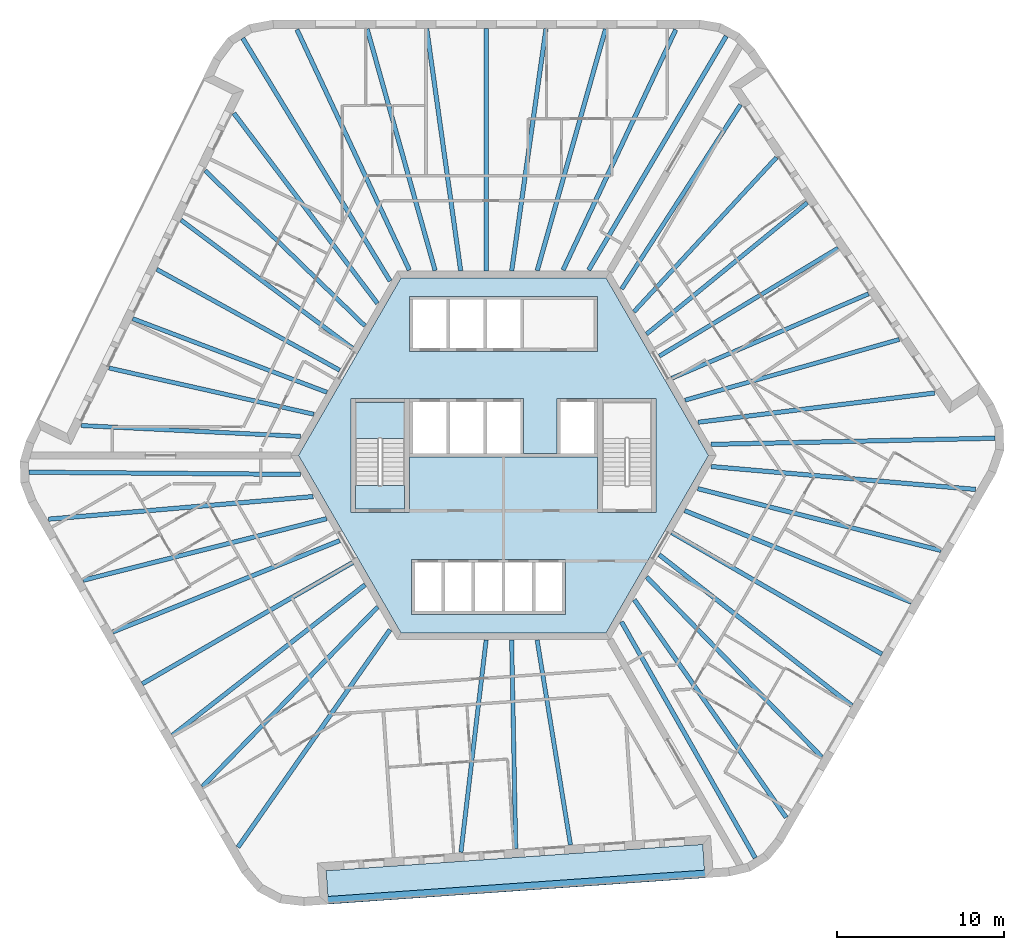
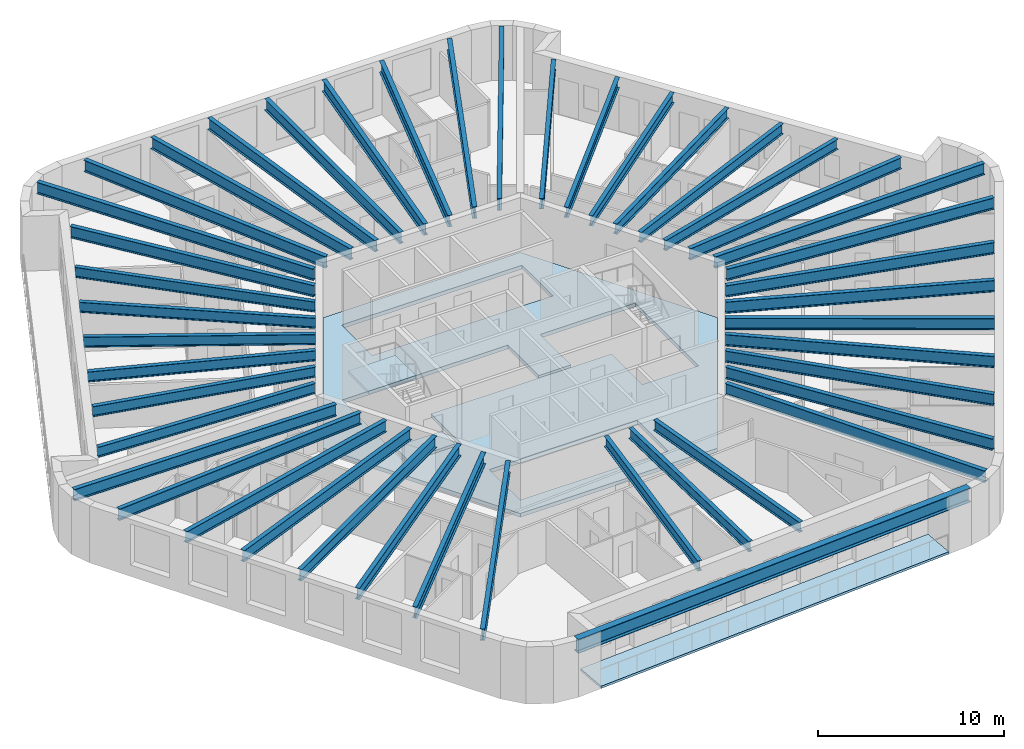
# One storey, part 1 of 12: 44 beams, 4 slabs, 1 element without a shape of its own.
"""IFC4 building model written with IfcOpenShell, lengths in metres."""

import ifcopenshell
import ifcopenshell.guid

model = None  # the IFC model being written
_history = None  # IfcOwnerHistory: only IFC2X3 demands one
_inside = {}  # id of a spatial element -> (the spatial element, [elements in it])
_under = {}  # id of a project, library or spatial element -> (it, [spatial elements below it])
_declared = {}  # id of a project -> (the project, [libraries it declares])
_typed = {}  # id of a type object -> (the type object, [elements of that type])
_made_of = {}  # id of a material, layer set ... -> (it, [elements and type objects made of it])


def new_model(schema):
    """Start an empty IFC model of exactly this schema.

    Asked for "IFC4X3", IfcOpenShell would pick the latest addendum, in which some entities
    have other attributes; the version numbers below select the first issue.
    IFC2X3 requires an IfcOwnerHistory on every rooted entity: one is made here for all.
    """
    global model, _history
    if schema == "IFC4X3":
        model = ifcopenshell.file(schema_version=(4, 3, 0, 0))
    else:
        model = ifcopenshell.file(schema=schema)
    _inside.clear()
    _under.clear()
    _declared.clear()
    _typed.clear()
    _made_of.clear()
    _history = None
    if model.schema == "IFC2X3":
        org = make("IfcOrganization", Name="unknown")
        user = make(
            "IfcPersonAndOrganization",
            ThePerson=make("IfcPerson", FamilyName="unknown"),
            TheOrganization=org,
        )
        app = make(
            "IfcApplication",
            ApplicationDeveloper=org,
            Version="unknown",
            ApplicationFullName="unknown",
            ApplicationIdentifier="unknown",
        )
        _history = make(
            "IfcOwnerHistory",
            OwningUser=user,
            OwningApplication=app,
            ChangeAction="ADDED",
            CreationDate=0,
        )
    return model


def make(cls, **values):
    """One entity of the class cls with the attributes given. An attribute that is None is left unset."""
    return model.create_entity(
        cls, **{name: value for name, value in values.items() if value is not None}
    )


def rooted(cls, **values):
    """An entity with a GlobalId (a new one), such as an element, a storey or a relation."""
    return make(cls, GlobalId=ifcopenshell.guid.new(), OwnerHistory=_history, **values)


def si_unit(unit_type, name, prefix=None):
    """IfcSIUnit, for example si_unit("LENGTHUNIT", "METRE", prefix="MILLI")."""
    return make("IfcSIUnit", UnitType=unit_type, Prefix=prefix, Name=name)


def assignment(units):
    """IfcUnitAssignment: the units of a project."""
    return None if units is None else make("IfcUnitAssignment", Units=units)


def point(xyz):
    """IfcCartesianPoint."""
    return None if xyz is None else make("IfcCartesianPoint", Coordinates=xyz)


def direction(xyz):
    """IfcDirection."""
    return None if xyz is None else make("IfcDirection", DirectionRatios=xyz)


def frame(location, z_axis=None, x_axis=None):
    """IfcAxis2Placement3D, a coordinate frame: its origin and axes. An axis left out is left unset."""
    return make(
        "IfcAxis2Placement3D",
        Location=point(location),
        Axis=direction(z_axis),
        RefDirection=direction(x_axis),
    )


def frame_2d(location, x_axis=None):
    """IfcAxis2Placement2D, a coordinate frame in the plane: its origin and x axis."""
    return make(
        "IfcAxis2Placement2D", Location=point(location), RefDirection=direction(x_axis)
    )


def origin():
    """The frame at (0, 0, 0) with its axes left unset."""
    return frame((0.0, 0.0, 0.0))


def origin_2d():
    """The frame at (0, 0) in the plane with its x axis left unset."""
    return frame_2d((0.0, 0.0))


def place(relative_to, where):
    """IfcLocalPlacement: puts the frame where relative to a parent placement (None: the world)."""
    return make(
        "IfcLocalPlacement", PlacementRelTo=relative_to, RelativePlacement=where
    )


def context(
    kind, dimensions, precision=None, world=None, true_north=None, identifier=None
):
    """IfcGeometricRepresentationContext, for example the 3D "Model" context."""
    return make(
        "IfcGeometricRepresentationContext",
        ContextIdentifier=identifier,
        ContextType=kind,
        CoordinateSpaceDimension=dimensions,
        Precision=precision,
        WorldCoordinateSystem=world,
        TrueNorth=true_north,
    )


def subcontext(parent, identifier, kind, view, scale=None):
    """IfcGeometricRepresentationSubContext, for example "Body" below "Model"."""
    return make(
        "IfcGeometricRepresentationSubContext",
        ContextIdentifier=identifier,
        ContextType=kind,
        ParentContext=parent,
        TargetScale=scale,
        TargetView=view,
    )


def project(units=None, contexts=None):
    """IfcProject with its units and contexts."""
    return rooted(
        "IfcProject",
        Name="project",
        RepresentationContexts=contexts,
        UnitsInContext=assignment(units),
    )


def spatial(cls, under=None, at=None, **own):
    """A site, building, storey or space (cls), placed at a placement, below another one or the project."""
    s = rooted(cls, ObjectPlacement=at, **own)
    if under is not None:
        _under.setdefault(under.id(), (under, []))[1].append(s)
    return s


def polyline(points):
    """IfcPolyline through the points."""
    return make("IfcPolyline", Points=[point(p) for p in points])


def profile(cls, at=None, kind="AREA", **sizes):
    """A parametric profile (cls). Its sizes go by their IFC names, for example OverallWidth=200.0."""
    return make(cls, ProfileType=kind, Position=at, **sizes)


def i_section(**sizes):
    """IfcIShapeProfileDef."""
    return profile("IfcIShapeProfileDef", **sizes)


def outline(outer, holes=None, kind="AREA"):
    """IfcArbitraryClosedProfileDef: a profile drawn as a closed curve; with holes, ...WithVoids."""
    if holes is None:
        return make("IfcArbitraryClosedProfileDef", ProfileType=kind, OuterCurve=outer)
    return make(
        "IfcArbitraryProfileDefWithVoids",
        ProfileType=kind,
        OuterCurve=outer,
        InnerCurves=holes,
    )


def extrude(swept, where, along, depth):
    """IfcExtrudedAreaSolid: the profile swept, set in the frame where, extruded along a direction by depth."""
    return make(
        "IfcExtrudedAreaSolid",
        SweptArea=swept,
        Position=where,
        ExtrudedDirection=direction(along),
        Depth=depth,
    )


def shape(context_of_items, identifier, shape_type, items):
    """IfcShapeRepresentation: the items that make up one representation, for example the "Body"."""
    return make(
        "IfcShapeRepresentation",
        ContextOfItems=context_of_items,
        RepresentationIdentifier=identifier,
        RepresentationType=shape_type,
        Items=items,
    )


def material(Name=None, Category=None):
    """IfcMaterial."""
    return make("IfcMaterial", Name=Name, Category=Category)


def layer(
    of_material, thickness, ventilated=None, Name=None, Category=None, Priority=None
):
    """IfcMaterialLayer: one layer of a wall or slab, of a material (None: an air gap)."""
    return make(
        "IfcMaterialLayer",
        Material=of_material,
        LayerThickness=thickness,
        IsVentilated=ventilated,
        Name=Name,
        Category=Category,
        Priority=Priority,
    )


def layer_set(layers, Name=None):
    """IfcMaterialLayerSet."""
    return make("IfcMaterialLayerSet", MaterialLayers=layers, LayerSetName=Name)


def material_profile(
    of_material, cross_section, Name=None, Category=None, Priority=None
):
    """IfcMaterialProfile: a cross section and its material."""
    return make(
        "IfcMaterialProfile",
        Name=Name,
        Material=of_material,
        Profile=cross_section,
        Priority=Priority,
        Category=Category,
    )


def profile_set(profiles, Name=None, composite=None):
    """IfcMaterialProfileSet."""
    return make(
        "IfcMaterialProfileSet",
        Name=Name,
        MaterialProfiles=profiles,
        CompositeProfile=composite,
    )


def made_of(thing, what):
    """Note that an element or type object is made of a material, layer set ...; save() writes the relation."""
    if what is not None:
        _made_of.setdefault(what.id(), (what, []))[1].append(thing)
    return thing


def type_object(cls, material=None, **own):
    """A type object (cls), such as IfcWallType, which elements share."""
    return made_of(rooted(cls, **own), material)


def element(
    cls,
    number,
    at=None,
    inside=None,
    cuts=None,
    type_object=None,
    material=None,
    context=None,
    identifier="Body",
    shape_type=None,
    held_by="IfcProductDefinitionShape",
    body=None,
    shapes=None,
    **own,
):
    """One element of the class cls, such as IfcWall. Its Tag is "e" and its number.

    at: its placement. inside: the storey or other place that contains it. cuts: it is an
    opening in that element (IfcRelVoidsElement). A single representation is given by context,
    identifier, shape_type and body (its items); several are given by shapes. held_by: the class
    of the entity that holds the representations. save() writes the other relations.
    """
    e = rooted(cls, Tag="e%d" % number, ObjectPlacement=at, **own)
    if body is not None:
        shapes = [shape(context, identifier, shape_type, body)]
    if shapes is not None:
        e.Representation = make(held_by, Representations=shapes)
    if inside is not None:
        _inside.setdefault(inside.id(), (inside, []))[1].append(e)
    if cuts is not None:
        rooted(
            "IfcRelVoidsElement", RelatingBuildingElement=cuts, RelatedOpeningElement=e
        )
    if type_object is not None:
        _typed.setdefault(type_object.id(), (type_object, []))[1].append(e)
    return made_of(e, material)


def aggregate(whole, parts):
    """IfcRelAggregates: a whole, such as a stair, and the parts it consists of."""
    return rooted("IfcRelAggregates", RelatingObject=whole, RelatedObjects=parts)


def save(model, path):
    """Write the relations noted so far, then the file.

    IfcRelAggregates (storeys below a building ...), IfcRelContainedInSpatialStructure (elements
    in a storey), IfcRelDefinesByType, IfcRelAssociatesMaterial and IfcRelDeclares: one each for
    every whole, place, type object, material and project.
    """
    for whole, parts in _under.values():
        aggregate(whole, parts)
    for where, things in _inside.values():
        rooted(
            "IfcRelContainedInSpatialStructure",
            RelatedElements=things,
            RelatingStructure=where,
        )
    for kind, things in _typed.values():
        rooted("IfcRelDefinesByType", RelatedObjects=things, RelatingType=kind)
    for what, things in _made_of.values():
        rooted("IfcRelAssociatesMaterial", RelatedObjects=things, RelatingMaterial=what)
    for by, libraries in _declared.values():
        rooted("IfcRelDeclares", RelatingContext=by, RelatedDefinitions=libraries)
    model.write(path)


model = new_model("IFC4")

# Units and contexts
model_context = context("Model", 3, precision=1e-05, world=origin(), true_north=direction((0.0, 1.0)))
body_context = subcontext(model_context, "Body", "Model", "MODEL_VIEW")
ifc_project = project(units=[si_unit("LENGTHUNIT", "METRE"), si_unit("AREAUNIT", "SQUARE_METRE"), si_unit("VOLUMEUNIT", "CUBIC_METRE"), si_unit("PLANEANGLEUNIT", "RADIAN"), si_unit("MASSUNIT", "GRAM", prefix="KILO")], contexts=[model_context])

# Site, building, storey
site_placement = place(None, origin())
site = spatial("IfcSite", under=ifc_project, at=site_placement, CompositionType="ELEMENT")
building_placement = place(site_placement, origin())
building = spatial("IfcBuilding", under=site, at=building_placement, Name="Tarnside Tower", CompositionType="ELEMENT")
storey_placement = place(building_placement, frame((0.0, 0.0, 334.199951171875)))
storey = spatial("IfcBuildingStorey", under=building, at=storey_placement, Name="L81", CompositionType="ELEMENT", Elevation=334.199951171875)

# Beams
ifc_material_1 = material(Name="Steel S355", Category="steel")
ifc_material_profile_1 = material_profile(ifc_material_1, i_section(OverallWidth=0.2529296875, OverallDepth=0.677978515625, WebThickness=0.01171875, FlangeThickness=0.01611328125, FilletRadius=0.01513671875, at=origin_2d()), Name="UB 686x254x125")
ifc_profile_set_1 = profile_set([ifc_material_profile_1], Name="Steel S355")
beam_type_1 = type_object("IfcBeamType", Name="Floor beam UB 686x254x125", PredefinedType="BEAM", material=ifc_profile_set_1)
beam_1_placement = place(storey_placement, frame((-17.811279296875, 17.002197265625, 3.260986328125), z_axis=(0.717190986424, -0.696876666988, 0.0), x_axis=(0.696876666988, 0.717190986424, 0.0)))
element("IfcBeam", 1, at=beam_1_placement, inside=storey, type_object=beam_type_1, Name="Floor beam F2.02", PredefinedType="BEAM", context=body_context, shape_type="SweptSolid", body=[
    extrude(i_section(OverallWidth=0.2529296875, OverallDepth=0.677978515625, WebThickness=0.01171875, FlangeThickness=0.01611328125, FilletRadius=0.01513671875, at=origin_2d()), origin(), (0.0, 0.0, 1.0), 13.2919921875),
])
beam_2_placement = place(storey_placement, frame((-19.25, 14.0498046875, 3.260986328125), z_axis=(0.801006417676, -0.598655759883, 0.0), x_axis=(0.598655759883, 0.801006417676, 0.0)))
element("IfcBeam", 2, at=beam_2_placement, inside=storey, type_object=beam_type_1, Name="Floor beam F2.03", PredefinedType="BEAM", context=body_context, shape_type="SweptSolid", body=[
    extrude(i_section(OverallWidth=0.2529296875, OverallDepth=0.677978515625, WebThickness=0.01171875, FlangeThickness=0.01611328125, FilletRadius=0.01513671875, at=origin_2d()), origin(), (0.0, 0.0, 1.0), 12.764892578125),
])
beam_3_placement = place(storey_placement, frame((-20.70458984375, 11.111572265625, 3.260986328125), z_axis=(0.875666768762, -0.482915841619, 0.0), x_axis=(0.482915841619, 0.875666768762, 0.0)))
element("IfcBeam", 3, at=beam_3_placement, inside=storey, type_object=beam_type_1, Name="Floor beam F2.04", PredefinedType="BEAM", context=body_context, shape_type="SweptSolid", body=[
    extrude(i_section(OverallWidth=0.2529296875, OverallDepth=0.677978515625, WebThickness=0.01171875, FlangeThickness=0.01611328125, FilletRadius=0.01513671875, at=origin_2d()), origin(), (0.0, 0.0, 1.0), 12.468994140625),
])
beam_4_placement = place(storey_placement, frame((-22.141357421875, 8.165771484375, 3.260986328125), z_axis=(0.935116350489, -0.354340811998, 0.0), x_axis=(0.354340811998, 0.935116350489, 0.0)))
element("IfcBeam", 4, at=beam_4_placement, inside=storey, type_object=beam_type_1, Name="Floor beam F2.05", PredefinedType="BEAM", context=body_context, shape_type="SweptSolid", body=[
    extrude(i_section(OverallWidth=0.2529296875, OverallDepth=0.677978515625, WebThickness=0.01171875, FlangeThickness=0.01611328125, FilletRadius=0.01513671875, at=origin_2d()), origin(), (0.0, 0.0, 1.0), 12.399169921875),
])
beam_5_placement = place(storey_placement, frame((-23.556884765625, 5.2197265625, 3.260986328125), z_axis=(0.975445185376, -0.220242344534, 0.0), x_axis=(0.220242344534, 0.975445185376, 0.0)))
element("IfcBeam", 5, at=beam_5_placement, inside=storey, type_object=beam_type_1, Name="Floor beam F2.06", PredefinedType="BEAM", context=body_context, shape_type="SweptSolid", body=[
    extrude(i_section(OverallWidth=0.2529296875, OverallDepth=0.677978515625, WebThickness=0.01171875, FlangeThickness=0.01611328125, FilletRadius=0.01513671875, at=origin_2d()), origin(), (0.0, 0.0, 1.0), 12.538330078125),
])
beam_6_placement = place(storey_placement, frame((-25.214599609375, 1.7841796875, 3.260986328125), z_axis=(0.998783137237, -0.049317793651, 0.0), x_axis=(0.049317793651, 0.998783137237, 0.0)))
element("IfcBeam", 6, at=beam_6_placement, inside=storey, type_object=beam_type_1, Name="Floor beam F2.07", PredefinedType="BEAM", context=body_context, shape_type="SweptSolid", body=[
    extrude(i_section(OverallWidth=0.2529296875, OverallDepth=0.677978515625, WebThickness=0.01171875, FlangeThickness=0.01611328125, FilletRadius=0.01513671875, at=origin_2d()), origin(), (0.0, 0.0, 1.0), 13.103515625),
])
beam_7_placement = place(storey_placement, frame((-2.54248046875, -23.69580078125, 3.260986328125), z_axis=(0.117949762105, 0.993019563563, 0.0), x_axis=(-0.993019563563, 0.117949762105, 0.0)))
element("IfcBeam", 7, at=beam_7_placement, inside=storey, type_object=beam_type_1, Name="Floor beam F4.03", PredefinedType="BEAM", context=body_context, shape_type="SweptSolid", body=[
    extrude(i_section(OverallWidth=0.2529296875, OverallDepth=0.677978515625, WebThickness=0.01171875, FlangeThickness=0.01611328125, FilletRadius=0.01513671875, at=origin_2d()), origin(), (0.0, 0.0, 1.0), 12.764892578125),
])
beam_8_placement = place(storey_placement, frame((0.7294921875, -23.486328125, 3.260986328125), z_axis=(-0.019619426101, 0.999807520536, 0.0), x_axis=(-0.999807520536, -0.019619426101, 0.0)))
element("IfcBeam", 8, at=beam_8_placement, inside=storey, type_object=beam_type_1, Name="Floor beam F4.04", PredefinedType="BEAM", context=body_context, shape_type="SweptSolid", body=[
    extrude(i_section(OverallWidth=0.2529296875, OverallDepth=0.677978515625, WebThickness=0.01171875, FlangeThickness=0.01611328125, FilletRadius=0.01513671875, at=origin_2d()), origin(), (0.0, 0.0, 1.0), 12.46875),
])
beam_9_placement = place(storey_placement, frame((3.9990234375, -23.2578125, 3.260986328125), z_axis=(-0.160690769029, 0.987004800773, 0.0), x_axis=(-0.987004800773, -0.160690769029, 0.0)))
element("IfcBeam", 9, at=beam_9_placement, inside=storey, type_object=beam_type_1, Name="Floor beam F4.05", PredefinedType="BEAM", context=body_context, shape_type="SweptSolid", body=[
    extrude(i_section(OverallWidth=0.2529296875, OverallDepth=0.677978515625, WebThickness=0.01171875, FlangeThickness=0.01611328125, FilletRadius=0.01513671875, at=origin_2d()), origin(), (0.0, 0.0, 1.0), 12.399169921875),
])
beam_10_placement = place(storey_placement, frame((23.6298828125, 6.924072265625, 3.260986328125), z_axis=(-0.962104001021, -0.272682766636, 0.0), x_axis=(0.272682766636, -0.962104001021, 0.0)))
element("IfcBeam", 10, at=beam_10_placement, inside=storey, type_object=beam_type_1, Name="Floor beam F6.02", PredefinedType="BEAM", context=body_context, shape_type="SweptSolid", body=[
    extrude(i_section(OverallWidth=0.2529296875, OverallDepth=0.677978515625, WebThickness=0.01171875, FlangeThickness=0.01611328125, FilletRadius=0.01513671875, at=origin_2d()), origin(), (0.0, 0.0, 1.0), 13.2919921875),
])
beam_11_placement = place(storey_placement, frame((21.792236328125, 9.64599609375, 3.260986328125), z_axis=(-0.918954980534, -0.394362452258, 0.0), x_axis=(0.394362452258, -0.918954980534, 0.0)))
element("IfcBeam", 11, at=beam_11_placement, inside=storey, type_object=beam_type_1, Name="Floor beam F6.03", PredefinedType="BEAM", context=body_context, shape_type="SweptSolid", body=[
    extrude(i_section(OverallWidth=0.2529296875, OverallDepth=0.677978515625, WebThickness=0.01171875, FlangeThickness=0.01611328125, FilletRadius=0.01513671875, at=origin_2d()), origin(), (0.0, 0.0, 1.0), 12.7646484375),
])
beam_12_placement = place(storey_placement, frame((19.97509765625, 12.375, 3.260986328125), z_axis=(-0.856046953876, -0.516898068055, 0.0), x_axis=(0.516898068055, -0.856046953876, 0.0)))
element("IfcBeam", 12, at=beam_12_placement, inside=storey, type_object=beam_type_1, Name="Floor beam F6.04", PredefinedType="BEAM", context=body_context, shape_type="SweptSolid", body=[
    extrude(i_section(OverallWidth=0.2529296875, OverallDepth=0.677978515625, WebThickness=0.01171875, FlangeThickness=0.01611328125, FilletRadius=0.01513671875, at=origin_2d()), origin(), (0.0, 0.0, 1.0), 12.46875),
])
beam_13_placement = place(storey_placement, frame((18.142333984375, 15.092041015625, 3.260986328125), z_axis=(-0.774438707576, -0.632648945473, 0.0), x_axis=(0.632648945473, -0.774438707576, 0.0)))
element("IfcBeam", 13, at=beam_13_placement, inside=storey, type_object=beam_type_1, Name="Floor beam F6.05", PredefinedType="BEAM", context=body_context, shape_type="SweptSolid", body=[
    extrude(i_section(OverallWidth=0.2529296875, OverallDepth=0.677978515625, WebThickness=0.01171875, FlangeThickness=0.01611328125, FilletRadius=0.01513671875, at=origin_2d()), origin(), (0.0, 0.0, 1.0), 12.39892578125),
])
beam_14_placement = place(storey_placement, frame((16.299072265625, 17.791015625, 3.260986328125), z_axis=(-0.67846123451, -0.734636204708, 0.0), x_axis=(0.734636204708, -0.67846123451, 0.0)))
element("IfcBeam", 14, at=beam_14_placement, inside=storey, type_object=beam_type_1, Name="Floor beam F6.06", PredefinedType="BEAM", context=body_context, shape_type="SweptSolid", body=[
    extrude(i_section(OverallWidth=0.2529296875, OverallDepth=0.677978515625, WebThickness=0.01171875, FlangeThickness=0.01611328125, FilletRadius=0.01513671875, at=origin_2d()), origin(), (0.0, 0.0, 1.0), 12.538330078125),
])
beam_15_placement = place(storey_placement, frame((14.152587890625, 20.9443359375, 3.260986328125), z_axis=(-0.54209970956, -0.840314170352, 0.0), x_axis=(0.840314170352, -0.54209970956, 0.0)))
element("IfcBeam", 15, at=beam_15_placement, inside=storey, type_object=beam_type_1, Name="Floor beam F6.07", PredefinedType="BEAM", context=body_context, shape_type="SweptSolid", body=[
    extrude(i_section(OverallWidth=0.2529296875, OverallDepth=0.677978515625, WebThickness=0.01171875, FlangeThickness=0.01611328125, FilletRadius=0.01513671875, at=origin_2d()), origin(), (0.0, 0.0, 1.0), 13.103759765625),
])
ifc_material_profile_2 = material_profile(ifc_material_1, i_section(OverallWidth=0.26513671875, OverallDepth=0.75390625, WebThickness=0.0126953125, FlangeThickness=0.017578125, FilletRadius=0.0166015625, at=origin_2d()), Name="UB 762x267x147")
ifc_profile_set_2 = profile_set([ifc_material_profile_2], Name="Steel S355")
beam_type_2 = type_object("IfcBeamType", Name="Floor beam UB 762x267x147", PredefinedType="BEAM", material=ifc_profile_set_2)
beam_16_placement = place(storey_placement, frame((6.093505859375, 25.46142578125, 3.22314453125), z_axis=(-0.272147186115, -0.962255636039, 0.0), x_axis=(0.962255636039, -0.272147186115, 0.0)))
element("IfcBeam", 16, at=beam_16_placement, inside=storey, type_object=beam_type_2, Name="Floor beam F1.02", PredefinedType="BEAM", context=body_context, shape_type="SweptSolid", body=[
    extrude(i_section(OverallWidth=0.26513671875, OverallDepth=0.75390625, WebThickness=0.0126953125, FlangeThickness=0.017578125, FilletRadius=0.0166015625, at=origin_2d()), origin(), (0.0, 0.0, 1.0), 14.988525390625),
])
beam_17_placement = place(storey_placement, frame((2.537109375, 25.480224609375, 3.22314453125), z_axis=(-0.140349428967, -0.990102034029, 0.0), x_axis=(0.990102034029, -0.140349428967, 0.0)))
element("IfcBeam", 17, at=beam_17_placement, inside=storey, type_object=beam_type_2, Name="Floor beam F1.03", PredefinedType="BEAM", context=body_context, shape_type="SweptSolid", body=[
    extrude(i_section(OverallWidth=0.26513671875, OverallDepth=0.75390625, WebThickness=0.0126953125, FlangeThickness=0.017578125, FilletRadius=0.0166015625, at=origin_2d()), origin(), (0.0, 0.0, 1.0), 14.60498046875),
])
beam_18_placement = place(storey_placement, frame((-1.02490234375, 25.5, 3.22314453125), z_axis=(-0.000656653953, -0.999999784403, 0.0), x_axis=(0.999999784403, -0.000656653953, 0.0)))
element("IfcBeam", 18, at=beam_18_placement, inside=storey, type_object=beam_type_2, Name="Floor beam F1.04", PredefinedType="BEAM", context=body_context, shape_type="SweptSolid", body=[
    extrude(i_section(OverallWidth=0.26513671875, OverallDepth=0.75390625, WebThickness=0.0126953125, FlangeThickness=0.017578125, FilletRadius=0.0166015625, at=origin_2d()), origin(), (0.0, 0.0, 1.0), 14.5),
])
beam_19_placement = place(storey_placement, frame((-4.5869140625, 25.480224609375, 3.22314453125), z_axis=(0.139070897001, -0.990282427193, 0.0), x_axis=(0.990282427193, 0.139070897001, 0.0)))
element("IfcBeam", 19, at=beam_19_placement, inside=storey, type_object=beam_type_2, Name="Floor beam F1.05", PredefinedType="BEAM", context=body_context, shape_type="SweptSolid", body=[
    extrude(i_section(OverallWidth=0.26513671875, OverallDepth=0.75390625, WebThickness=0.0126953125, FlangeThickness=0.017578125, FilletRadius=0.0166015625, at=origin_2d()), origin(), (0.0, 0.0, 1.0), 14.602294921875),
])
beam_20_placement = place(storey_placement, frame((-8.1435546875, 25.46142578125, 3.22314453125), z_axis=(0.270985274434, -0.962583493023, 0.0), x_axis=(0.962583493023, 0.270985274434, 0.0)))
element("IfcBeam", 20, at=beam_20_placement, inside=storey, type_object=beam_type_2, Name="Floor beam F1.06", PredefinedType="BEAM", context=body_context, shape_type="SweptSolid", body=[
    extrude(i_section(OverallWidth=0.26513671875, OverallDepth=0.75390625, WebThickness=0.0126953125, FlangeThickness=0.017578125, FilletRadius=0.0166015625, at=origin_2d()), origin(), (0.0, 0.0, 1.0), 14.9833984375),
])
beam_21_placement = place(storey_placement, frame((-16.101318359375, 20.43212890625, 3.22314453125), z_axis=(0.602566097863, -0.798068980543, 0.0), x_axis=(0.798068980543, 0.602566097863, 0.0)))
element("IfcBeam", 21, at=beam_21_placement, inside=storey, type_object=beam_type_2, Name="Floor beam F2.01", PredefinedType="BEAM", context=body_context, shape_type="SweptSolid", body=[
    extrude(i_section(OverallWidth=0.26513671875, OverallDepth=0.75390625, WebThickness=0.0126953125, FlangeThickness=0.017578125, FilletRadius=0.0166015625, at=origin_2d()), origin(), (0.0, 0.0, 1.0), 14.231201171875),
])
beam_22_placement = place(storey_placement, frame((-25.09716796875, -7.45361328125, 3.22314453125), z_axis=(0.969413823687, 0.245431942592, 0.0), x_axis=(-0.245431942592, 0.969413823687, 0.0)))
element("IfcBeam", 22, at=beam_22_placement, inside=storey, type_object=beam_type_2, Name="Floor beam F3.02", PredefinedType="BEAM", context=body_context, shape_type="SweptSolid", body=[
    extrude(i_section(OverallWidth=0.26513671875, OverallDepth=0.75390625, WebThickness=0.0126953125, FlangeThickness=0.017578125, FilletRadius=0.0166015625, at=origin_2d()), origin(), (0.0, 0.0, 1.0), 14.98876953125),
])
beam_23_placement = place(storey_placement, frame((-23.3349609375, -10.54296875, 3.22314453125), z_axis=(0.927625766949, 0.373510958998, 0.0), x_axis=(-0.373510958998, 0.927625766949, 0.0)))
element("IfcBeam", 23, at=beam_23_placement, inside=storey, type_object=beam_type_2, Name="Floor beam F3.03", PredefinedType="BEAM", context=body_context, shape_type="SweptSolid", body=[
    extrude(i_section(OverallWidth=0.26513671875, OverallDepth=0.75390625, WebThickness=0.0126953125, FlangeThickness=0.017578125, FilletRadius=0.0166015625, at=origin_2d()), origin(), (0.0, 0.0, 1.0), 14.60498046875),
])
beam_24_placement = place(storey_placement, frame((-21.5712890625, -13.6376953125, 3.22314453125), z_axis=(0.866357363831, 0.499424587036, 0.0), x_axis=(-0.499424587036, 0.866357363831, 0.0)))
element("IfcBeam", 24, at=beam_24_placement, inside=storey, type_object=beam_type_2, Name="Floor beam F3.04", PredefinedType="BEAM", context=body_context, shape_type="SweptSolid", body=[
    extrude(i_section(OverallWidth=0.26513671875, OverallDepth=0.75390625, WebThickness=0.0126953125, FlangeThickness=0.017578125, FilletRadius=0.0166015625, at=origin_2d()), origin(), (0.0, 0.0, 1.0), 14.5),
])
beam_25_placement = place(storey_placement, frame((-19.77294921875, -16.71240234375, 3.22314453125), z_axis=(0.788074813552, 0.615579473541, 0.0), x_axis=(-0.615579473541, 0.788074813552, 0.0)))
element("IfcBeam", 25, at=beam_25_placement, inside=storey, type_object=beam_type_2, Name="Floor beam F3.05", PredefinedType="BEAM", context=body_context, shape_type="SweptSolid", body=[
    extrude(i_section(OverallWidth=0.26513671875, OverallDepth=0.75390625, WebThickness=0.0126953125, FlangeThickness=0.017578125, FilletRadius=0.0166015625, at=origin_2d()), origin(), (0.0, 0.0, 1.0), 14.60205078125),
])
beam_26_placement = place(storey_placement, frame((-17.978515625, -19.783203125, 3.22314453125), z_axis=(0.698129580508, 0.71597143017, 0.0), x_axis=(-0.71597143017, 0.698129580508, 0.0)))
element("IfcBeam", 26, at=beam_26_placement, inside=storey, type_object=beam_type_2, Name="Floor beam F3.06", PredefinedType="BEAM", context=body_context, shape_type="SweptSolid", body=[
    extrude(i_section(OverallWidth=0.26513671875, OverallDepth=0.75390625, WebThickness=0.0126953125, FlangeThickness=0.017578125, FilletRadius=0.0166015625, at=origin_2d()), origin(), (0.0, 0.0, 1.0), 14.983642578125),
])
beam_27_placement = place(storey_placement, frame((19.00341796875, -18.008056640625, 3.22314453125), z_axis=(-0.697249797022, 0.716828236437, 0.0), x_axis=(-0.716828236437, -0.697249797022, 0.0)))
element("IfcBeam", 27, at=beam_27_placement, inside=storey, type_object=beam_type_2, Name="Floor beam F5.02", PredefinedType="BEAM", context=body_context, shape_type="SweptSolid", body=[
    extrude(i_section(OverallWidth=0.26513671875, OverallDepth=0.75390625, WebThickness=0.0126953125, FlangeThickness=0.017578125, FilletRadius=0.0166015625, at=origin_2d()), origin(), (0.0, 0.0, 1.0), 14.98876953125),
])
beam_28_placement = place(storey_placement, frame((20.798095703125, -14.937255859375, 3.22314453125), z_axis=(-0.787282014804, 0.616593082321, 0.0), x_axis=(-0.616593082321, -0.787282014804, 0.0)))
element("IfcBeam", 28, at=beam_28_placement, inside=storey, type_object=beam_type_2, Name="Floor beam F5.03", PredefinedType="BEAM", context=body_context, shape_type="SweptSolid", body=[
    extrude(i_section(OverallWidth=0.26513671875, OverallDepth=0.75390625, WebThickness=0.0126953125, FlangeThickness=0.017578125, FilletRadius=0.0166015625, at=origin_2d()), origin(), (0.0, 0.0, 1.0), 14.60498046875),
])
beam_29_placement = place(storey_placement, frame((22.59619140625, -11.8623046875, 3.22314453125), z_axis=(-0.865697438889, 0.500567622106, 0.0), x_axis=(-0.500567622106, -0.865697438889, 0.0)))
element("IfcBeam", 29, at=beam_29_placement, inside=storey, type_object=beam_type_2, Name="Floor beam F5.04", PredefinedType="BEAM", context=body_context, shape_type="SweptSolid", body=[
    extrude(i_section(OverallWidth=0.26513671875, OverallDepth=0.75390625, WebThickness=0.0126953125, FlangeThickness=0.017578125, FilletRadius=0.0166015625, at=origin_2d()), origin(), (0.0, 0.0, 1.0), 14.500244140625),
])
beam_30_placement = place(storey_placement, frame((24.35986328125, -8.767578125, 3.22314453125), z_axis=(-0.927145907531, 0.374700501933, 0.0), x_axis=(-0.374700501933, -0.927145907531, 0.0)))
element("IfcBeam", 30, at=beam_30_placement, inside=storey, type_object=beam_type_2, Name="Floor beam F5.05", PredefinedType="BEAM", context=body_context, shape_type="SweptSolid", body=[
    extrude(i_section(OverallWidth=0.26513671875, OverallDepth=0.75390625, WebThickness=0.0126953125, FlangeThickness=0.017578125, FilletRadius=0.0166015625, at=origin_2d()), origin(), (0.0, 0.0, 1.0), 14.60205078125),
])
beam_31_placement = place(storey_placement, frame((26.1220703125, -5.67822265625, 3.22314453125), z_axis=(-0.969115089144, 0.246608888716, 0.0), x_axis=(-0.246608888716, -0.969115089144, 0.0)))
element("IfcBeam", 31, at=beam_31_placement, inside=storey, type_object=beam_type_2, Name="Floor beam F5.06", PredefinedType="BEAM", context=body_context, shape_type="SweptSolid", body=[
    extrude(i_section(OverallWidth=0.26513671875, OverallDepth=0.75390625, WebThickness=0.0126953125, FlangeThickness=0.017578125, FilletRadius=0.0166015625, at=origin_2d()), origin(), (0.0, 0.0, 1.0), 14.9833984375),
])
beam_32_placement = place(storey_placement, frame((25.745361328125, 3.72802734375, 3.22314453125), z_axis=(-0.992433598491, -0.122782541866, 0.0), x_axis=(0.122782541866, -0.992433598491, 0.0)))
element("IfcBeam", 32, at=beam_32_placement, inside=storey, type_object=beam_type_2, Name="Floor beam F6.01", PredefinedType="BEAM", context=body_context, shape_type="SweptSolid", body=[
    extrude(i_section(OverallWidth=0.26513671875, OverallDepth=0.75390625, WebThickness=0.0126953125, FlangeThickness=0.017578125, FilletRadius=0.0166015625, at=origin_2d()), origin(), (0.0, 0.0, 1.0), 14.23095703125),
])
ifc_material_profile_3 = material_profile(ifc_material_1, i_section(OverallWidth=0.2666015625, OverallDepth=0.76220703125, WebThickness=0.014404296875, FlangeThickness=0.021484375, FilletRadius=0.0166015625, at=origin_2d()), Name="UB 762x267x173")
ifc_profile_set_3 = profile_set([ifc_material_profile_3], Name="Steel S355")
beam_type_3 = type_object("IfcBeamType", Name="Floor beam UB 762x267x173", PredefinedType="BEAM", material=ifc_profile_set_3)
beam_33_placement = place(storey_placement, frame((10.285400390625, 25.427490234375, 3.218994140625), z_axis=(-0.424439399801, -0.905456346765, 0.0), x_axis=(0.905456346765, -0.424439399801, 0.0)))
element("IfcBeam", 33, at=beam_33_placement, inside=storey, type_object=beam_type_3, Name="Floor beam F1.01", PredefinedType="BEAM", context=body_context, shape_type="SweptSolid", body=[
    extrude(i_section(OverallWidth=0.2666015625, OverallDepth=0.76220703125, WebThickness=0.014404296875, FlangeThickness=0.021484375, FilletRadius=0.0166015625, at=origin_2d()), origin(), (0.0, 0.0, 1.0), 15.853759765625),
])
beam_34_placement = place(storey_placement, frame((-12.335205078125, 25.427490234375, 3.218994140625), z_axis=(0.423453877267, -0.905917663934, 0.0), x_axis=(0.905917663934, 0.423453877267, 0.0)))
element("IfcBeam", 34, at=beam_34_placement, inside=storey, type_object=beam_type_3, Name="Floor beam F1.07", PredefinedType="BEAM", context=body_context, shape_type="SweptSolid", body=[
    extrude(i_section(OverallWidth=0.2666015625, OverallDepth=0.76220703125, WebThickness=0.014404296875, FlangeThickness=0.021484375, FilletRadius=0.0166015625, at=origin_2d()), origin(), (0.0, 0.0, 1.0), 15.845703125),
])
beam_35_placement = place(storey_placement, frame((-15.5703125, 24.91162109375, 3.218994140625), z_axis=(0.518716683755, -0.854946198304, 0.0), x_axis=(0.854946198304, 0.518716683755, 0.0)))
element("IfcBeam", 35, at=beam_35_placement, inside=storey, type_object=beam_type_3, Name="Floor beam C1", PredefinedType="BEAM", context=body_context, shape_type="SweptSolid", body=[
    extrude(i_section(OverallWidth=0.2666015625, OverallDepth=0.76220703125, WebThickness=0.014404296875, FlangeThickness=0.021484375, FilletRadius=0.0166015625, at=origin_2d()), origin(), (0.0, 0.0, 1.0), 16.961181640625),
])
beam_36_placement = place(storey_placement, frame((-28.3291015625, -1.0009765625, 3.218994140625), z_axis=(0.999966651082, -0.008166806173, 0.0), x_axis=(0.008166806173, 0.999966651082, 0.0)))
element("IfcBeam", 36, at=beam_36_placement, inside=storey, type_object=beam_type_3, Name="Floor beam C2", PredefinedType="BEAM", context=body_context, shape_type="SweptSolid", body=[
    extrude(i_section(OverallWidth=0.2666015625, OverallDepth=0.76220703125, WebThickness=0.014404296875, FlangeThickness=0.021484375, FilletRadius=0.0166015625, at=origin_2d()), origin(), (0.0, 0.0, 1.0), 16.20263671875),
])
beam_37_placement = place(storey_placement, frame((-27.16357421875, -3.806396484375, 3.218994140625), z_axis=(0.996367434748, 0.085158293626, 0.0), x_axis=(-0.085158293626, 0.996367434748, 0.0)))
element("IfcBeam", 37, at=beam_37_placement, inside=storey, type_object=beam_type_3, Name="Floor beam F3.01", PredefinedType="BEAM", context=body_context, shape_type="SweptSolid", body=[
    extrude(i_section(OverallWidth=0.2666015625, OverallDepth=0.76220703125, WebThickness=0.014404296875, FlangeThickness=0.021484375, FilletRadius=0.0166015625, at=origin_2d()), origin(), (0.0, 0.0, 1.0), 15.85400390625),
])
beam_38_placement = place(storey_placement, frame((-15.853271484375, -23.396484375, 3.218994140625), z_axis=(0.572816933654, 0.819683329414, 0.0), x_axis=(-0.819683329414, 0.572816933654, 0.0)))
element("IfcBeam", 38, at=beam_38_placement, inside=storey, type_object=beam_type_3, Name="Floor beam F3.07", PredefinedType="BEAM", context=body_context, shape_type="SweptSolid", body=[
    extrude(i_section(OverallWidth=0.2666015625, OverallDepth=0.76220703125, WebThickness=0.014404296875, FlangeThickness=0.021484375, FilletRadius=0.0166015625, at=origin_2d()), origin(), (0.0, 0.0, 1.0), 15.84619140625),
])
beam_39_placement = place(storey_placement, frame((15.031494140625, -24.033447265625, 3.218994140625), z_axis=(-0.49290801997, 0.870081423689, 0.0), x_axis=(-0.870081423689, -0.49290801997, 0.0)))
element("IfcBeam", 39, at=beam_39_placement, inside=storey, type_object=beam_type_3, Name="Floor beam C4", PredefinedType="BEAM", context=body_context, shape_type="SweptSolid", body=[
    extrude(i_section(OverallWidth=0.2666015625, OverallDepth=0.76220703125, WebThickness=0.014404296875, FlangeThickness=0.021484375, FilletRadius=0.0166015625, at=origin_2d()), origin(), (0.0, 0.0, 1.0), 16.202880859375),
])
beam_40_placement = place(storey_placement, frame((16.87841796875, -21.62109375, 3.218994140625), z_axis=(-0.571946235641, 0.82029110902, 0.0), x_axis=(-0.82029110902, -0.571946235641, 0.0)))
element("IfcBeam", 40, at=beam_40_placement, inside=storey, type_object=beam_type_3, Name="Floor beam F5.01", PredefinedType="BEAM", context=body_context, shape_type="SweptSolid", body=[
    extrude(i_section(OverallWidth=0.2666015625, OverallDepth=0.76220703125, WebThickness=0.014404296875, FlangeThickness=0.021484375, FilletRadius=0.0166015625, at=origin_2d()), origin(), (0.0, 0.0, 1.0), 15.85400390625),
])
beam_41_placement = place(storey_placement, frame((28.1884765625, -2.03125, 3.218994140625), z_axis=(-0.996273584651, 0.086249316098, 0.0), x_axis=(-0.086249316098, -0.996273584651, 0.0)))
element("IfcBeam", 41, at=beam_41_placement, inside=storey, type_object=beam_type_3, Name="Floor beam F5.07", PredefinedType="BEAM", context=body_context, shape_type="SweptSolid", body=[
    extrude(i_section(OverallWidth=0.2666015625, OverallDepth=0.76220703125, WebThickness=0.014404296875, FlangeThickness=0.021484375, FilletRadius=0.0166015625, at=origin_2d()), origin(), (0.0, 0.0, 1.0), 15.845947265625),
])
beam_42_placement = place(storey_placement, frame((29.359130859375, 1.028564453125, 3.218994140625), z_axis=(-0.999763142455, -0.02176370807, 0.0), x_axis=(0.02176370807, -0.999763142455, 0.0)))
element("IfcBeam", 42, at=beam_42_placement, inside=storey, type_object=beam_type_3, Name="Floor beam C5", PredefinedType="BEAM", context=body_context, shape_type="SweptSolid", body=[
    extrude(i_section(OverallWidth=0.2666015625, OverallDepth=0.76220703125, WebThickness=0.014404296875, FlangeThickness=0.021484375, FilletRadius=0.0166015625, at=origin_2d()), origin(), (0.0, 0.0, 1.0), 16.961181640625),
])
beam_43_placement = place(storey_placement, frame((13.2978515625, 25.0341796875, 3.218994140625), z_axis=(-0.507080048325, -0.861898964259, 0.0), x_axis=(0.861898964259, -0.507080048325, 0.0)))
element("IfcBeam", 43, at=beam_43_placement, inside=storey, type_object=beam_type_3, Name="Floor beam C6", PredefinedType="BEAM", context=body_context, shape_type="SweptSolid", body=[
    extrude(i_section(OverallWidth=0.2666015625, OverallDepth=0.76220703125, WebThickness=0.014404296875, FlangeThickness=0.021484375, FilletRadius=0.0166015625, at=origin_2d()), origin(), (0.0, 0.0, 1.0), 16.20263671875),
])
ifc_material_2 = material(Name="Steel S460", Category="steel")
ifc_material_profile_4 = material_profile(ifc_material_2, i_section(OverallWidth=0.42041015625, OverallDepth=0.9208984375, WebThickness=0.021484375, FlangeThickness=0.03662109375, FilletRadius=0.024169921875, at=origin_2d()), Name="UB 914x419x388")
ifc_profile_set_4 = profile_set([ifc_material_profile_4], Name="Steel S460")
beam_type_4 = type_object("IfcBeamType", Name="Perimeter girder UB 914x419x388", PredefinedType="BEAM", material=ifc_profile_set_4)
beam_44_placement = place(storey_placement, frame((-11.91748046875, -26.646240234375, 3.1396484375), z_axis=(0.997564150934, 0.069755034023, 0.0), x_axis=(-0.069755034023, 0.997564150934, 0.0)))
element("IfcBeam", 44, at=beam_44_placement, inside=storey, type_object=beam_type_4, Name="Perimeter girder PE1", PredefinedType="BEAM", context=body_context, shape_type="SweptSolid", body=[
    extrude(i_section(OverallWidth=0.42041015625, OverallDepth=0.9208984375, WebThickness=0.021484375, FlangeThickness=0.03662109375, FilletRadius=0.024169921875, at=origin_2d()), origin(), (0.0, 0.0, 1.0), 25.44482421875),
])

# Slabs
ifc_material_3 = material(Name="Concrete C40/50", Category="concrete")
ifc_layer_1 = layer(ifc_material_3, 0.25)
ifc_layer_set_1 = layer_set([ifc_layer_1], Name="Core slab C40/50")
slab_type_1 = type_object("IfcSlabType", Name="Core slab C40/50", PredefinedType="FLOOR", material=ifc_layer_set_1)
slab_1_placement = place(storey_placement, frame((0.0, 0.0, -0.25)))
element("IfcSlab", 45, at=slab_1_placement, inside=storey, type_object=slab_type_1, Name="L81 core floor slab 1", PredefinedType="FLOOR", context=body_context, shape_type="SweptSolid", body=[
    extrude(outline(polyline([(6.119873046875, 10.60009765625), (12.23974609375, 0.0), (6.119873046875, -10.60009765625), (-6.119873046875, -10.60009765625), (-12.23974609375, 0.0), (-6.119873046875, 10.60009765625), (6.119873046875, 10.60009765625)]), holes=[polyline([(-5.5, -9.5), (3.699951171875, -9.5), (3.699951171875, -9.300048828125), (3.699951171875, -6.39990234375), (3.699951171875, -6.199951171875), (-5.5, -6.199951171875), (-5.5, -6.39990234375), (-5.5, -9.300048828125), (-5.5, -9.5)]), polyline([(-5.60009765625, -3.39990234375), (-5.60009765625, -0.10009765625), (5.60009765625, -0.10009765625), (5.60009765625, -3.39990234375), (5.89990234375, -3.39990234375), (8.85009765625, -3.39990234375), (9.10009765625, -3.39990234375), (9.10009765625, 3.39990234375), (8.85009765625, 3.39990234375), (5.89990234375, 3.39990234375), (5.60009765625, 3.39990234375), (3.39990234375, 3.39990234375), (3.199951171875, 3.39990234375), (3.199951171875, 0.10009765625), (1.199951171875, 0.10009765625), (1.199951171875, 3.39990234375), (1.0, 3.39990234375), (-5.60009765625, 3.39990234375), (-5.89990234375, 3.39990234375), (-8.85009765625, 3.39990234375), (-9.10009765625, 3.39990234375), (-9.10009765625, -3.39990234375), (-8.85009765625, -3.39990234375), (-5.89990234375, -3.39990234375), (-5.60009765625, -3.39990234375)]), polyline([(-5.60009765625, 6.199951171875), (5.60009765625, 6.199951171875), (5.60009765625, 6.39990234375), (5.60009765625, 9.300048828125), (5.60009765625, 9.5), (-5.60009765625, 9.5), (-5.60009765625, 9.300048828125), (-5.60009765625, 6.39990234375), (-5.60009765625, 6.199951171875)])]), origin(), (0.0, 0.0, 1.0), 0.25),
])
slab_2_placement = place(storey_placement, frame((0.0, 0.0, -0.25)))
element("IfcSlab", 46, at=slab_2_placement, inside=storey, type_object=slab_type_1, Name="L81 core floor slab 2", PredefinedType="FLOOR", context=body_context, shape_type="SweptSolid", body=[
    extrude(outline(polyline([(-8.85009765625, -3.199951171875), (-8.85009765625, -1.800048828125), (-5.89990234375, -1.800048828125), (-5.89990234375, -3.199951171875), (-8.85009765625, -3.199951171875)])), origin(), (0.0, 0.0, 1.0), 0.25),
])
ifc_material_4 = material(Name="Timber decking", Category="wood")
ifc_layer_2 = layer(ifc_material_4, 0.0400390625)
ifc_material_5 = material(Name="Concrete C60/75 precast", Category="concrete")
ifc_layer_3 = layer(ifc_material_5, 0.110107421875)
ifc_layer_set_2 = layer_set([ifc_layer_2, ifc_layer_3], Name="Loggia deck 150")
slab_type_2 = type_object("IfcSlabType", Name="Loggia deck 150", PredefinedType="FLOOR", material=ifc_layer_set_2)
slab_3_placement = place(storey_placement, frame((0.0, 0.0, -0.14990234375)))
element("IfcSlab", 47, at=slab_3_placement, inside=storey, type_object=slab_type_2, Name="Loggia deck L81 F4", PredefinedType="FLOOR", context=body_context, shape_type="SweptSolid", body=[
    extrude(outline(polyline([(-10.593017578125, -24.79931640625), (11.896728515625, -23.226806640625), (12.036376953125, -25.221923828125), (-10.45361328125, -26.79443359375), (-10.593017578125, -24.79931640625)])), origin(), (0.0, 0.0, 1.0), 0.14990234375),
])

# Stair, slab
stair_type = type_object("IfcStairType", Name="Exit stair 1400 clear", PredefinedType="HALF_TURN_STAIR", material=ifc_material_3)
stair_placement = place(storey_placement, origin())
stair = element("IfcStair", 48, at=stair_placement, inside=storey, type_object=stair_type, Name="L81 Exit stair 2", PredefinedType="HALF_TURN_STAIR")
ifc_layer_4 = layer(ifc_material_3, 0.199951171875)
ifc_layer_set_3 = layer_set([ifc_layer_4], Name="Stair landing 200 C40/50")
slab_type_3 = type_object("IfcSlabType", Name="Stair landing 200 C40/50", PredefinedType="LANDING", material=ifc_layer_set_3)
slab_4_placement = place(storey_placement, frame((0.0, 0.0, 1.75)))
slab_4 = element("IfcSlab", 49, at=slab_4_placement, type_object=slab_type_3, Name="ST2 landing 1", PredefinedType="LANDING", context=body_context, shape_type="SweptSolid", body=[
    extrude(outline(polyline([(-5.89990234375, 1.0), (-5.89990234375, 3.199951171875), (-8.85009765625, 3.199951171875), (-8.85009765625, 1.0), (-5.89990234375, 1.0)])), origin(), (0.0, 0.0, 1.0), 0.199951171875),
])
aggregate(stair, [slab_4])

save(model, "model.ifc")
